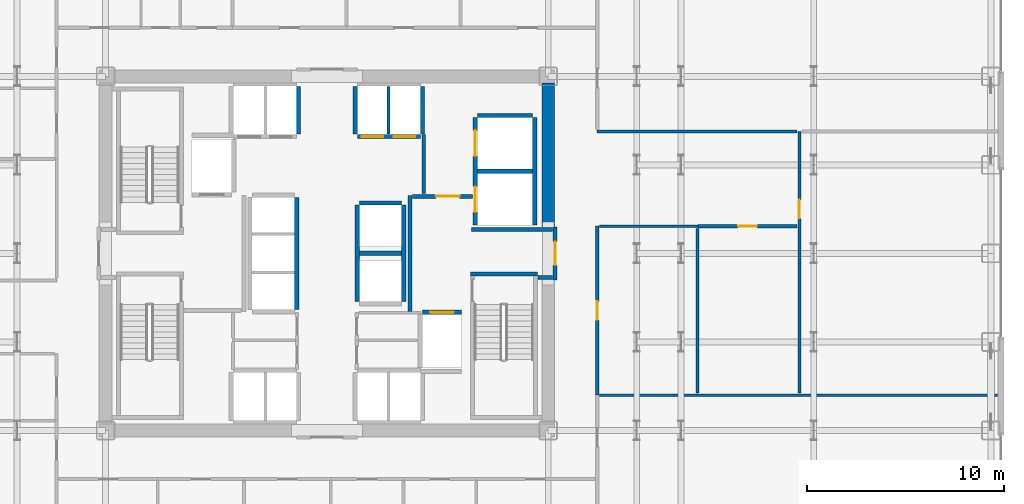
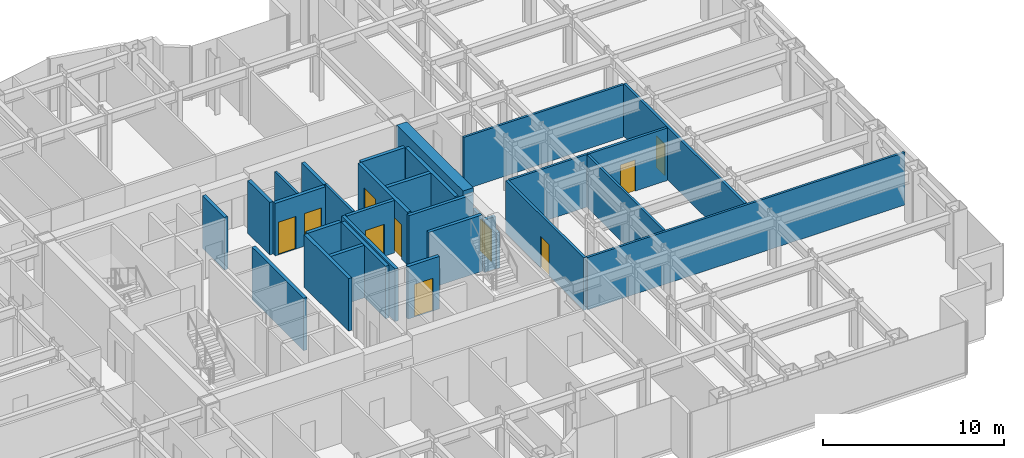
# One storey, part 25 of 29: 30 walls, 10 doors, 10 openings.
"""IFC4 building model written with IfcOpenShell, lengths in metres."""

from ifc_helpers import new_model, si_unit, direction, frame, frame_2d, origin, place, context, subcontext, project, spatial, rectangle, extrude, source, transform, mapped, material, layer, layer_set, type_object, element, fill, save


model = new_model("IFC4")

# Units and contexts
model_context = context("Model", 3, precision=1e-05, world=origin(), true_north=direction((0.0, 1.0)))
body_context = subcontext(model_context, "Body", "Model", "MODEL_VIEW")
ifc_project = project(units=[si_unit("LENGTHUNIT", "METRE"), si_unit("AREAUNIT", "SQUARE_METRE"), si_unit("VOLUMEUNIT", "CUBIC_METRE"), si_unit("PLANEANGLEUNIT", "RADIAN"), si_unit("MASSUNIT", "GRAM", prefix="KILO")], contexts=[model_context])

# Site, building, storey
site_placement = place(None, origin())
site = spatial("IfcSite", under=ifc_project, at=site_placement, CompositionType="ELEMENT")
building_placement = place(site_placement, origin())
building = spatial("IfcBuilding", under=site, at=building_placement, Name="Nefas-Gora Pilgrimage Tower", CompositionType="ELEMENT")
storey_placement = place(building_placement, frame((0.0, 0.0, 44.39990234375)))
storey = spatial("IfcBuildingStorey", under=building, at=storey_placement, Name="L09", CompositionType="ELEMENT", Elevation=44.39990234375)

# Walls
ifc_material_1 = material(Name="Concrete C60/75", Category="concrete")
ifc_layer_1 = layer(ifc_material_1, 0.64990234375)
ifc_layer_set_1 = layer_set([ifc_layer_1], Name="Concrete C60/75")
wall_type_1 = type_object("IfcWallType", Name="SW-CORE-650", PredefinedType="SHEAR", material=ifc_layer_set_1)
shared_shape_1 = source(origin(), body_context, "Body", "SweptSolid", [
    extrude(rectangle(XDim=7.324951171875, YDim=0.64990234375, at=frame_2d((3.66259765625, 0.0))), origin(), (0.0, 0.0, 1.0), 3.800048828125),
])
wall_1_placement = place(storey_placement, frame((11.25, 1.35009765625, 0.0), z_axis=(0.0, 0.0, 1.0), x_axis=(0.0, 1.0, 0.0)))
element("IfcWall", 1, at=wall_1_placement, inside=storey, type_object=wall_type_1, Name="L09 Core Shear Wall E-North", PredefinedType="SHEAR", context=body_context, shape_type="MappedRepresentation", body=[
    mapped(shared_shape_1, transform((0.0, 0.0, 0.0), x_axis=(1.0, 0.0, 0.0), y_axis=(0.0, 1.0, 0.0), z_axis=(0.0, 0.0, 1.0), scale=1.0)),
])
ifc_material_2 = material(Name="Concrete C45/55", Category="concrete")
ifc_layer_2 = layer(ifc_material_2, 0.199951171875)
ifc_layer_set_2 = layer_set([ifc_layer_2], Name="Concrete C45/55")
wall_type_2 = type_object("IfcWallType", Name="IW-STAIR-200", PredefinedType="SOLIDWALL", material=ifc_layer_set_2)
shared_shape_2 = source(origin(), body_context, "Body", "SweptSolid", [
    extrude(rectangle(XDim=3.39990234375, YDim=0.199951171875, at=frame_2d((1.699951171875, 0.0))), origin(), (0.0, 0.0, 1.0), 3.800048828125),
])
wall_2_placement = place(storey_placement, frame((7.300048828125, -1.050048828125, 0.0), z_axis=(0.0, 0.0, 1.0), x_axis=(1.0, 0.0, 0.0)))
element("IfcWall", 2, at=wall_2_placement, inside=storey, type_object=wall_type_2, Name="L09 Stairwell Shear Wall ST-02-near", PredefinedType="SOLIDWALL", context=body_context, shape_type="MappedRepresentation", body=[
    mapped(shared_shape_2, transform((0.0, 0.0, 0.0), x_axis=(1.0, 0.0, 0.0), y_axis=(0.0, 1.0, 0.0), z_axis=(0.0, 0.0, 1.0), scale=1.0)),
])

# Wall, opening, door
ifc_material_3 = material(Name="Concrete C40/50", Category="concrete")
ifc_layer_3 = layer(ifc_material_3, 0.219970703125)
ifc_layer_set_3 = layer_set([ifc_layer_3], Name="Concrete C40/50")
wall_type_3 = type_object("IfcWallType", Name="IW-SHAFT-220", PredefinedType="SOLIDWALL", material=ifc_layer_set_3)
shared_shape_3 = source(origin(), body_context, "Body", "SweptSolid", [
    extrude(rectangle(XDim=2.0, YDim=0.219970703125, at=frame_2d((1.0, 0.0))), origin(), (0.0, 0.0, 1.0), 3.53515625),
])
wall_3_placement = place(storey_placement, frame((6.85009765625, -2.989990234375, 0.0), z_axis=(0.0, 0.0, 1.0), x_axis=(-1.0, 0.0, 0.0)))
wall_3 = element("IfcWall", 3, at=wall_3_placement, inside=storey, type_object=wall_type_3, Name="L09 Hoistway Wall FFL-02-N", PredefinedType="SOLIDWALL", context=body_context, shape_type="MappedRepresentation", body=[
    mapped(shared_shape_3, transform((0.0, 0.0, 0.0), x_axis=(1.0, 0.0, 0.0), y_axis=(0.0, 1.0, 0.0), z_axis=(0.0, 0.0, 1.0), scale=1.0)),
])
opening_1_placement = place(wall_3_placement, frame((0.39990234375, 0.0, 0.0)))
opening_1 = element("IfcOpeningElement", 4, at=opening_1_placement, cuts=wall_3, Name="Opening LD-FF", PredefinedType="OPENING", context=body_context, shape_type="SweptSolid", body=[
    extrude(rectangle(XDim=1.199951171875, YDim=2.199951171875, at=frame_2d((0.60009765625, 1.10009765625))), frame((0.0, 0.119873046875, 0.0), z_axis=(0.0, -1.0, 0.0), x_axis=(1.0, 0.0, 0.0)), (0.0, 0.0, 1.0), 0.239990234375),
])
ifc_material_4 = material(Name="Fire-service sliding lift landing door")
door_type_1 = type_object("IfcDoorType", Name="DR-LIFT-FSAE-1200", OperationType="SLIDING_TO_LEFT", PredefinedType="DOOR", material=ifc_material_4)
shared_shape_4 = source(origin(), body_context, "Body", "SweptSolid", [
    extrude(rectangle(XDim=1.199951171875, YDim=2.199951171875, at=frame_2d((0.60009765625, 1.10009765625))), frame((0.0, 0.02490234375, 0.0), z_axis=(0.0, -1.0, 0.0), x_axis=(1.0, 0.0, 0.0)), (0.0, 0.0, 1.0), 0.050048828125),
])
door_1_placement = place(opening_1_placement, origin())
door_1 = element("IfcDoor", 5, at=door_1_placement, inside=storey, type_object=door_type_1, Name="L09 Sliding Lift Landing Door FFL-02", OperationType="SLIDING_TO_LEFT", OverallHeight=2.199951171875, OverallWidth=1.199951171875, PredefinedType="DOOR", context=body_context, shape_type="MappedRepresentation", body=[
    mapped(shared_shape_4, transform((0.0, 0.0, 0.0), x_axis=(1.0, 0.0, 0.0), y_axis=(0.0, 1.0, 0.0), z_axis=(0.0, 0.0, 1.0), scale=1.0)),
])
fill(opening_1, door_1)

# Wall, openings, doors
shared_shape_5 = source(origin(), body_context, "Body", "SweptSolid", [
    extrude(rectangle(XDim=5.449951171875, YDim=0.219970703125, at=frame_2d((2.72509765625, 0.0))), origin(), (0.0, 0.0, 1.0), 3.53515625),
])
wall_4_placement = place(storey_placement, frame((7.5400390625, 6.89990234375, 0.0), z_axis=(0.0, 0.0, 1.0), x_axis=(0.0, -1.0, 0.0)))
wall_4 = element("IfcWall", 6, at=wall_4_placement, inside=storey, type_object=wall_type_3, Name="L09 Hoistway Wall SL-01-02-W", PredefinedType="SOLIDWALL", context=body_context, shape_type="MappedRepresentation", body=[
    mapped(shared_shape_5, transform((0.0, 0.0, 0.0), x_axis=(1.0, 0.0, 0.0), y_axis=(0.0, 1.0, 0.0), z_axis=(0.0, 0.0, 1.0), scale=1.0)),
])
opening_2_placement = place(wall_4_placement, frame((3.5, 0.0, 0.0)))
opening_2 = element("IfcOpeningElement", 7, at=opening_2_placement, cuts=wall_4, Name="Opening LD-SV", PredefinedType="OPENING", context=body_context, shape_type="SweptSolid", body=[
    extrude(rectangle(XDim=1.300048828125, YDim=2.300048828125, at=frame_2d((0.64990234375, 1.14990234375))), frame((0.0, 0.119873046875, 0.0), z_axis=(0.0, -1.0, 0.0), x_axis=(1.0, 0.0, 0.0)), (0.0, 0.0, 1.0), 0.239990234375),
])
opening_3_placement = place(wall_4_placement, frame((0.64990234375, 0.0, 0.0)))
opening_3 = element("IfcOpeningElement", 8, at=opening_3_placement, cuts=wall_4, Name="Opening LD-SV", PredefinedType="OPENING", context=body_context, shape_type="SweptSolid", body=[
    extrude(rectangle(XDim=1.300048828125, YDim=2.300048828125, at=frame_2d((0.64990234375, 1.14990234375))), frame((0.0, 0.119873046875, 0.0), z_axis=(0.0, -1.0, 0.0), x_axis=(1.0, 0.0, 0.0)), (0.0, 0.0, 1.0), 0.239990234375),
])
ifc_material_5 = material(Name="Heavy goods sliding lift landing door")
door_type_2 = type_object("IfcDoorType", Name="DR-LIFT-SERV-1300", OperationType="SLIDING_TO_RIGHT", PredefinedType="DOOR", material=ifc_material_5)
shared_shape_6 = source(origin(), body_context, "Body", "SweptSolid", [
    extrude(rectangle(XDim=1.300048828125, YDim=2.300048828125, at=frame_2d((0.64990234375, 1.14990234375))), frame((0.0, 0.02490234375, 0.0), z_axis=(0.0, -1.0, 0.0), x_axis=(1.0, 0.0, 0.0)), (0.0, 0.0, 1.0), 0.050048828125),
])
door_2_placement = place(opening_2_placement, origin())
door_2 = element("IfcDoor", 9, at=door_2_placement, inside=storey, type_object=door_type_2, Name="L09 Sliding Lift Landing Door SL-01", OperationType="SLIDING_TO_RIGHT", OverallHeight=2.300048828125, OverallWidth=1.300048828125, PredefinedType="DOOR", context=body_context, shape_type="MappedRepresentation", body=[
    mapped(shared_shape_6, transform((0.0, 0.0, 0.0), x_axis=(1.0, 0.0, 0.0), y_axis=(0.0, 1.0, 0.0), z_axis=(0.0, 0.0, 1.0), scale=1.0)),
])
fill(opening_2, door_2)
door_3_placement = place(opening_3_placement, origin())
door_3 = element("IfcDoor", 10, at=door_3_placement, inside=storey, type_object=door_type_2, Name="L09 Sliding Lift Landing Door SL-02", OperationType="SLIDING_TO_RIGHT", OverallHeight=2.300048828125, OverallWidth=1.300048828125, PredefinedType="DOOR", context=body_context, shape_type="MappedRepresentation", body=[
    mapped(shared_shape_6, transform((0.0, 0.0, 0.0), x_axis=(1.0, 0.0, 0.0), y_axis=(0.0, 1.0, 0.0), z_axis=(0.0, 0.0, 1.0), scale=1.0)),
])
fill(opening_3, door_3)

# Walls
wall_5_placement = place(storey_placement, frame((10.56005859375, 1.449951171875, 0.0), z_axis=(0.0, 0.0, 1.0), x_axis=(0.0, 1.0, 0.0)))
element("IfcWall", 11, at=wall_5_placement, inside=storey, type_object=wall_type_3, Name="L09 Hoistway Wall SL-01-02-E", PredefinedType="SOLIDWALL", context=body_context, shape_type="MappedRepresentation", body=[
    mapped(shared_shape_5, transform((0.0, 0.0, 0.0), x_axis=(1.0, 0.0, 0.0), y_axis=(0.0, 1.0, 0.0), z_axis=(0.0, 0.0, 1.0), scale=1.0)),
])
shared_shape_7 = source(origin(), body_context, "Body", "SweptSolid", [
    extrude(rectangle(XDim=2.780029296875, YDim=0.219970703125, at=frame_2d((1.39013671875, 0.0))), origin(), (0.0, 0.0, 1.0), 3.53515625),
])
for number, where, z_axis, x_axis, name in (
    (12, (7.659912109375, 4.175048828125, 0.0), (0.0, 0.0, 1.0), (1.0, 0.0, 0.0), "L09 Hoistway Wall SL-01-02-DIV"),
    (13, (10.43994140625, 7.010009765625, 0.0), (0.0, 0.0, 1.0), (-1.0, 0.0, 0.0), "L09 Hoistway Wall SL-02-N"),
):
    element("IfcWall", number, at=place(storey_placement, frame(where, z_axis=z_axis, x_axis=x_axis)), inside=storey, type_object=wall_type_3, Name=name, PredefinedType="SOLIDWALL", context=body_context, shape_type="MappedRepresentation", body=[
        mapped(shared_shape_7, transform((0.0, 0.0, 0.0), x_axis=(1.0, 0.0, 0.0), y_axis=(0.0, 1.0, 0.0), z_axis=(0.0, 0.0, 1.0), scale=1.0)),
    ])

# Wall, openings, doors
shared_shape_8 = source(origin(), body_context, "Body", "SweptSolid", [
    extrude(rectangle(XDim=3.199951171875, YDim=0.219970703125, at=frame_2d((1.60009765625, 0.0))), origin(), (0.0, 0.0, 1.0), 3.53515625),
])
wall_6_placement = place(storey_placement, frame((1.550048828125, 5.93994140625, 0.0), z_axis=(0.0, 0.0, 1.0), x_axis=(1.0, 0.0, 0.0)))
wall_6 = element("IfcWall", 14, at=wall_6_placement, inside=storey, type_object=wall_type_3, Name="L09 Hoistway Wall PL1-E-S", PredefinedType="SOLIDWALL", context=body_context, shape_type="MappedRepresentation", body=[
    mapped(shared_shape_8, transform((0.0, 0.0, 0.0), x_axis=(1.0, 0.0, 0.0), y_axis=(0.0, 1.0, 0.0), z_axis=(0.0, 0.0, 1.0), scale=1.0)),
])
opening_4_placement = place(wall_6_placement, frame((0.22509765625, 0.0, 0.0)))
opening_4 = element("IfcOpeningElement", 15, at=opening_4_placement, cuts=wall_6, Name="Opening LD-01", PredefinedType="OPENING", context=body_context, shape_type="SweptSolid", body=[
    extrude(rectangle(XDim=1.10009765625, YDim=2.199951171875, at=frame_2d((0.550048828125, 1.10009765625))), frame((0.0, 0.119873046875, 0.0), z_axis=(0.0, -1.0, 0.0), x_axis=(1.0, 0.0, 0.0)), (0.0, 0.0, 1.0), 0.239990234375),
])
opening_5_placement = place(wall_6_placement, frame((1.85009765625, 0.0, 0.0)))
opening_5 = element("IfcOpeningElement", 16, at=opening_5_placement, cuts=wall_6, Name="Opening LD-01", PredefinedType="OPENING", context=body_context, shape_type="SweptSolid", body=[
    extrude(rectangle(XDim=1.10009765625, YDim=2.199951171875, at=frame_2d((0.550048828125, 1.10009765625))), frame((0.0, 0.119873046875, 0.0), z_axis=(0.0, -1.0, 0.0), x_axis=(1.0, 0.0, 0.0)), (0.0, 0.0, 1.0), 0.239990234375),
])
ifc_material_6 = material(Name="Brushed stainless sliding lift landing door")
door_type_3 = type_object("IfcDoorType", Name="DR-LIFT-PASS-1100", OperationType="DOUBLE_DOOR_SLIDING", PredefinedType="DOOR", material=ifc_material_6)
shared_shape_9 = source(origin(), body_context, "Body", "SweptSolid", [
    extrude(rectangle(XDim=1.10009765625, YDim=2.199951171875, at=frame_2d((0.550048828125, 1.10009765625))), frame((0.0, 0.02490234375, 0.0), z_axis=(0.0, -1.0, 0.0), x_axis=(1.0, 0.0, 0.0)), (0.0, 0.0, 1.0), 0.050048828125),
])
door_4_placement = place(opening_4_placement, origin())
door_4 = element("IfcDoor", 17, at=door_4_placement, inside=storey, type_object=door_type_3, Name="L09 Sliding Lift Landing Door PL1-03", OperationType="DOUBLE_DOOR_SLIDING", OverallHeight=2.199951171875, OverallWidth=1.10009765625, PredefinedType="DOOR", context=body_context, shape_type="MappedRepresentation", body=[
    mapped(shared_shape_9, transform((0.0, 0.0, 0.0), x_axis=(1.0, 0.0, 0.0), y_axis=(0.0, 1.0, 0.0), z_axis=(0.0, 0.0, 1.0), scale=1.0)),
])
fill(opening_4, door_4)
door_5_placement = place(opening_5_placement, origin())
door_5 = element("IfcDoor", 18, at=door_5_placement, inside=storey, type_object=door_type_3, Name="L09 Sliding Lift Landing Door PL1-04", OperationType="DOUBLE_DOOR_SLIDING", OverallHeight=2.199951171875, OverallWidth=1.10009765625, PredefinedType="DOOR", context=body_context, shape_type="MappedRepresentation", body=[
    mapped(shared_shape_9, transform((0.0, 0.0, 0.0), x_axis=(1.0, 0.0, 0.0), y_axis=(0.0, 1.0, 0.0), z_axis=(0.0, 0.0, 1.0), scale=1.0)),
])
fill(opening_5, door_5)

# Walls
shared_shape_10 = source(origin(), body_context, "Body", "SweptSolid", [
    extrude(rectangle(XDim=2.429931640625, YDim=0.219970703125, at=frame_2d((1.21484375, 0.0))), origin(), (0.0, 0.0, 1.0), 3.53515625),
])
for number, where, z_axis, x_axis, name in (
    (19, (-1.43994140625, 6.06005859375, 0.0), (0.0, 0.0, 1.0), (0.0, 1.0, 0.0), "L09 Hoistway Wall PL1-W-E"),
    (20, (1.43994140625, 8.489990234375, 0.0), (0.0, 0.0, 1.0), (0.0, -1.0, 0.0), "L09 Hoistway Wall PL1-E-W"),
    (21, (4.860107421875, 6.06005859375, 0.0), (0.0, 0.0, 1.0), (0.0, 1.0, 0.0), "L09 Hoistway Wall PL1-E-E"),
):
    element("IfcWall", number, at=place(storey_placement, frame(where, z_axis=z_axis, x_axis=x_axis)), inside=storey, type_object=wall_type_3, Name=name, PredefinedType="SOLIDWALL", context=body_context, shape_type="MappedRepresentation", body=[
        mapped(shared_shape_10, transform((0.0, 0.0, 0.0), x_axis=(1.0, 0.0, 0.0), y_axis=(0.0, 1.0, 0.0), z_axis=(0.0, 0.0, 1.0), scale=1.0)),
    ])
ifc_material_7 = material(Name="Gypsum twin-stud partition")
ifc_layer_4 = layer(ifc_material_7, 0.139892578125)
ifc_layer_set_4 = layer_set([ifc_layer_4], Name="Gypsum twin-stud partition")
wall_type_4 = type_object("IfcWallType", Name="IW-UNIT-140", PredefinedType="PARTITIONING", material=ifc_layer_set_4)
shared_shape_11 = source(origin(), body_context, "Body", "SweptSolid", [
    extrude(rectangle(XDim=2.429931640625, YDim=0.139892578125, at=frame_2d((1.21484375, 0.0))), origin(), (0.0, 0.0, 1.0), 3.53515625),
])
wall_7_placement = place(storey_placement, frame((3.125, 6.06005859375, 0.0), z_axis=(0.0, 0.0, 1.0), x_axis=(0.0, 1.0, 0.0)))
element("IfcWall", 22, at=wall_7_placement, inside=storey, type_object=wall_type_4, Name="L09 Hoistway Wall PL1-E-DIV", PredefinedType="PARTITIONING", context=body_context, shape_type="MappedRepresentation", body=[
    mapped(shared_shape_11, transform((0.0, 0.0, 0.0), x_axis=(1.0, 0.0, 0.0), y_axis=(0.0, 1.0, 0.0), z_axis=(0.0, 0.0, 1.0), scale=1.0)),
])
shared_shape_12 = source(origin(), body_context, "Body", "SweptSolid", [
    extrude(rectangle(XDim=5.7001953125, YDim=0.219970703125, at=frame_2d((2.85009765625, 0.0))), origin(), (0.0, 0.0, 1.0), 3.53515625),
])
wall_8_placement = place(storey_placement, frame((-1.5400390625, -2.85009765625, 0.0), z_axis=(0.0, 0.0, 1.0), x_axis=(0.0, 1.0, 0.0)))
element("IfcWall", 23, at=wall_8_placement, inside=storey, type_object=wall_type_3, Name="L09 Hoistway Wall PL3-01-03-E", PredefinedType="SOLIDWALL", context=body_context, shape_type="MappedRepresentation", body=[
    mapped(shared_shape_12, transform((0.0, 0.0, 0.0), x_axis=(1.0, 0.0, 0.0), y_axis=(0.0, 1.0, 0.0), z_axis=(0.0, 0.0, 1.0), scale=1.0)),
])
shared_shape_13 = source(origin(), body_context, "Body", "SweptSolid", [
    extrude(rectangle(XDim=2.130126953125, YDim=0.219970703125, at=frame_2d((1.06494140625, 0.0))), origin(), (0.0, 0.0, 1.0), 3.53515625),
])
for number, where, z_axis, x_axis, name in (
    (24, (1.659912109375, 0.0, 0.0), (0.0, 0.0, 1.0), (1.0, 0.0, 0.0), "L09 Hoistway Wall OBS-01-02-DIV"),
    (25, (3.7900390625, 2.56005859375, 0.0), (0.0, 0.0, 1.0), (-1.0, 0.0, 0.0), "L09 Hoistway Wall OBS-02-N"),
):
    element("IfcWall", number, at=place(storey_placement, frame(where, z_axis=z_axis, x_axis=x_axis)), inside=storey, type_object=wall_type_3, Name=name, PredefinedType="SOLIDWALL", context=body_context, shape_type="MappedRepresentation", body=[
        mapped(shared_shape_13, transform((0.0, 0.0, 0.0), x_axis=(1.0, 0.0, 0.0), y_axis=(0.0, 1.0, 0.0), z_axis=(0.0, 0.0, 1.0), scale=1.0)),
    ])
shared_shape_14 = source(origin(), body_context, "Body", "SweptSolid", [
    extrude(rectangle(XDim=4.89990234375, YDim=0.219970703125, at=frame_2d((2.449951171875, 0.0))), origin(), (0.0, 0.0, 1.0), 3.53515625),
])
for number, where, z_axis, x_axis, name in (
    (26, (1.5400390625, 2.449951171875, 0.0), (0.0, 0.0, 1.0), (0.0, -1.0, 0.0), "L09 Hoistway Wall OBS-01-02-W"),
    (27, (3.909912109375, -2.449951171875, 0.0), (0.0, 0.0, 1.0), (0.0, 1.0, 0.0), "L09 Hoistway Wall OBS-01-02-E"),
):
    element("IfcWall", number, at=place(storey_placement, frame(where, z_axis=z_axis, x_axis=x_axis)), inside=storey, type_object=wall_type_3, Name=name, PredefinedType="SOLIDWALL", context=body_context, shape_type="MappedRepresentation", body=[
        mapped(shared_shape_14, transform((0.0, 0.0, 0.0), x_axis=(1.0, 0.0, 0.0), y_axis=(0.0, 1.0, 0.0), z_axis=(0.0, 0.0, 1.0), scale=1.0)),
    ])

# Wall, opening, door
ifc_material_8 = material(Name="Gypsum fire-rated shaftwall")
ifc_layer_5 = layer(ifc_material_8, 0.199951171875)
ifc_layer_set_5 = layer_set([ifc_layer_5], Name="Gypsum fire-rated shaftwall")
wall_type_5 = type_object("IfcWallType", Name="IW-FFLOB-200", PredefinedType="PARTITIONING", material=ifc_layer_set_5)
shared_shape_15 = source(origin(), body_context, "Body", "SweptSolid", [
    extrude(rectangle(XDim=2.7001953125, YDim=0.199951171875, at=frame_2d((1.35009765625, 0.0))), origin(), (0.0, 0.0, 1.0), 2.425048828125),
])
wall_9_placement = place(storey_placement, frame((11.60009765625, -1.35009765625, 0.0), z_axis=(0.0, 0.0, 1.0), x_axis=(0.0, 1.0, 0.0)))
wall_9 = element("IfcWall", 28, at=wall_9_placement, inside=storey, type_object=wall_type_5, Name="L09 FF Lobby East Portal Wall 8", PredefinedType="PARTITIONING", context=body_context, shape_type="MappedRepresentation", body=[
    mapped(shared_shape_15, transform((0.0, 0.0, 0.0), x_axis=(1.0, 0.0, 0.0), y_axis=(0.0, 1.0, 0.0), z_axis=(0.0, 0.0, 1.0), scale=1.0)),
])
opening_6_placement = place(wall_9_placement, frame((0.75, 0.0, 0.0)))
opening_6 = element("IfcOpeningElement", 29, at=opening_6_placement, cuts=wall_9, Name="Opening ID-FF1", PredefinedType="OPENING", context=body_context, shape_type="SweptSolid", body=[
    extrude(rectangle(XDim=1.199951171875, YDim=2.14990234375, at=frame_2d((0.60009765625, 1.074951171875))), frame((0.0, 0.10986328125, 0.0), z_axis=(0.0, -1.0, 0.0), x_axis=(1.0, 0.0, 0.0)), (0.0, 0.0, 1.0), 0.219970703125),
])
ifc_material_9 = material(Name="Smoke-sealed steel firefighting lobby door", Category="steel")
door_type_4 = type_object("IfcDoorType", Name="DR-INT-FFLOB-1200", OperationType="NOTDEFINED", PredefinedType="DOOR", material=ifc_material_9)
shared_shape_16 = source(origin(), body_context, "Body", "SweptSolid", [
    extrude(rectangle(XDim=1.199951171875, YDim=2.14990234375, at=frame_2d((0.60009765625, 1.074951171875))), frame((0.0, 0.02490234375, 0.0), z_axis=(0.0, -1.0, 0.0), x_axis=(1.0, 0.0, 0.0)), (0.0, 0.0, 1.0), 0.050048828125),
])
door_6_placement = place(opening_6_placement, origin())
door_6 = element("IfcDoor", 30, at=door_6_placement, inside=storey, type_object=door_type_4, Name="L09 FF Lobby East Portal Door 2", OperationType="SINGLE_SWING_LEFT", OverallHeight=2.14990234375, OverallWidth=1.199951171875, PredefinedType="DOOR", context=body_context, shape_type="MappedRepresentation", body=[
    mapped(shared_shape_16, transform((0.0, 0.0, 0.0), x_axis=(1.0, 0.0, 0.0), y_axis=(0.0, 1.0, 0.0), z_axis=(0.0, 0.0, 1.0), scale=1.0)),
])
fill(opening_6, door_6)

# Walls
shared_shape_17 = source(origin(), body_context, "Body", "SweptSolid", [
    extrude(rectangle(XDim=5.89990234375, YDim=0.199951171875, at=frame_2d((2.949951171875, 0.0))), origin(), (0.0, 0.0, 1.0), 3.53515625),
])
wall_10_placement = place(storey_placement, frame((4.219970703125, -2.949951171875, 0.0), z_axis=(0.0, 0.0, 1.0), x_axis=(0.0, 1.0, 0.0)))
element("IfcWall", 31, at=wall_10_placement, inside=storey, type_object=wall_type_5, Name="L09 FF Lobby East Inner Wall Wall 9", PredefinedType="PARTITIONING", context=body_context, shape_type="MappedRepresentation", body=[
    mapped(shared_shape_17, transform((0.0, 0.0, 0.0), x_axis=(1.0, 0.0, 0.0), y_axis=(0.0, 1.0, 0.0), z_axis=(0.0, 0.0, 1.0), scale=1.0)),
])
shared_shape_18 = source(origin(), body_context, "Body", "SweptSolid", [
    extrude(rectangle(XDim=0.719970703125, YDim=0.199951171875, at=frame_2d((0.35986328125, 0.0))), origin(), (0.0, 0.0, 1.0), 3.53515625),
])
wall_11_placement = place(storey_placement, frame((10.739990234375, -1.219970703125, 0.0), z_axis=(0.0, 0.0, 1.0), x_axis=(1.0, 0.0, 0.0)))
element("IfcWall", 32, at=wall_11_placement, inside=storey, type_object=wall_type_5, Name="L09 FF Lobby East Throat S Wall 12", PredefinedType="PARTITIONING", context=body_context, shape_type="MappedRepresentation", body=[
    mapped(shared_shape_18, transform((0.0, 0.0, 0.0), x_axis=(1.0, 0.0, 0.0), y_axis=(0.0, 1.0, 0.0), z_axis=(0.0, 0.0, 1.0), scale=1.0)),
])

# Wall, opening, door
shared_shape_19 = source(origin(), body_context, "Body", "SweptSolid", [
    extrude(rectangle(XDim=3.039794921875, YDim=0.199951171875, at=frame_2d((1.52001953125, 0.0))), origin(), (0.0, 0.0, 1.0), 3.53515625),
])
wall_12_placement = place(storey_placement, frame((4.360107421875, 2.89990234375, 0.0), z_axis=(0.0, 0.0, 1.0), x_axis=(1.0, 0.0, 0.0)))
wall_12 = element("IfcWall", 33, at=wall_12_placement, inside=storey, type_object=wall_type_5, Name="L09 FF Lobby East North Wall Wall 10", PredefinedType="PARTITIONING", context=body_context, shape_type="MappedRepresentation", body=[
    mapped(shared_shape_19, transform((0.0, 0.0, 0.0), x_axis=(1.0, 0.0, 0.0), y_axis=(0.0, 1.0, 0.0), z_axis=(0.0, 0.0, 1.0), scale=1.0)),
])
opening_7_placement = place(wall_12_placement, frame((1.18994140625, 0.0, 0.0)))
opening_7 = element("IfcOpeningElement", 34, at=opening_7_placement, cuts=wall_12, Name="Opening ID-PL1", PredefinedType="OPENING", context=body_context, shape_type="SweptSolid", body=[
    extrude(rectangle(XDim=1.199951171875, YDim=2.14990234375, at=frame_2d((0.60009765625, 1.074951171875))), frame((0.0, 0.10986328125, 0.0), z_axis=(0.0, -1.0, 0.0), x_axis=(1.0, 0.0, 0.0)), (0.0, 0.0, 1.0), 0.219970703125),
])
ifc_material_10 = material(Name="Heavy-duty steel plant room fire door", Category="steel")
door_type_5 = type_object("IfcDoorType", Name="DR-INT-PLANT-1200", OperationType="NOTDEFINED", PredefinedType="DOOR", material=ifc_material_10)
door_7_placement = place(opening_7_placement, origin())
door_7 = element("IfcDoor", 35, at=door_7_placement, inside=storey, type_object=door_type_5, Name="L09 Service Lift Lobby Door Door 3", OperationType="SINGLE_SWING_RIGHT", OverallHeight=2.14990234375, OverallWidth=1.199951171875, PredefinedType="DOOR", context=body_context, shape_type="MappedRepresentation", body=[
    mapped(shared_shape_16, transform((0.0, 0.0, 0.0), x_axis=(1.0, 0.0, 0.0), y_axis=(0.0, 1.0, 0.0), z_axis=(0.0, 0.0, 1.0), scale=1.0)),
])
fill(opening_7, door_7)

# Walls
shared_shape_20 = source(origin(), body_context, "Body", "SweptSolid", [
    extrude(rectangle(XDim=4.10986328125, YDim=0.199951171875, at=frame_2d((2.054931640625, 0.0))), origin(), (0.0, 0.0, 1.0), 3.53515625),
])
wall_13_placement = place(storey_placement, frame((7.35009765625, 1.219970703125, 0.0), z_axis=(0.0, 0.0, 1.0), x_axis=(1.0, 0.0, 0.0)))
element("IfcWall", 36, at=wall_13_placement, inside=storey, type_object=wall_type_5, Name="L09 FF Lobby East Throat N Wall 11", PredefinedType="PARTITIONING", context=body_context, shape_type="MappedRepresentation", body=[
    mapped(shared_shape_20, transform((0.0, 0.0, 0.0), x_axis=(1.0, 0.0, 0.0), y_axis=(0.0, 1.0, 0.0), z_axis=(0.0, 0.0, 1.0), scale=1.0)),
])
ifc_material_11 = material(Name="Gypsum acoustic stud partition")
ifc_layer_6 = layer(ifc_material_11, 0.159912109375)
ifc_layer_set_6 = layer_set([ifc_layer_6], Name="Gypsum acoustic stud partition")
wall_type_6 = type_object("IfcWallType", Name="IW-CORR-160", PredefinedType="PARTITIONING", material=ifc_layer_set_6)
shared_shape_21 = source(origin(), body_context, "Body", "SweptSolid", [
    extrude(rectangle(XDim=3.014892578125, YDim=0.159912109375, at=frame_2d((1.50732421875, 0.0))), origin(), (0.0, 0.0, 1.0), 3.53515625),
])
wall_14_placement = place(storey_placement, frame((4.919921875, 3.0400390625, 0.0), z_axis=(0.0, 0.0, 1.0), x_axis=(0.0, 1.0, 0.0)))
element("IfcWall", 37, at=wall_14_placement, inside=storey, type_object=wall_type_6, Name="L09 Service Lift Lobby West Wall Wall 15", PredefinedType="PARTITIONING", context=body_context, shape_type="MappedRepresentation", body=[
    mapped(shared_shape_21, transform((0.0, 0.0, 0.0), x_axis=(1.0, 0.0, 0.0), y_axis=(0.0, 1.0, 0.0), z_axis=(0.0, 0.0, 1.0), scale=1.0)),
])
shared_shape_22 = source(origin(), body_context, "Body", "SweptSolid", [
    extrude(rectangle(XDim=20.219970703125, YDim=0.139892578125, at=frame_2d((10.10986328125, 0.0))), origin(), (0.0, 0.0, 1.0), 3.53515625),
])
wall_15_placement = place(storey_placement, frame((13.860107421875, -7.205078125, 0.0), z_axis=(0.0, 0.0, 1.0), x_axis=(1.0, 0.0, 0.0)))
element("IfcWall", 38, at=wall_15_placement, inside=storey, type_object=wall_type_4, Name="L09 Pilgrim Contemplative Lounge Partition Wall 40", PredefinedType="PARTITIONING", context=body_context, shape_type="MappedRepresentation", body=[
    mapped(shared_shape_22, transform((0.0, 0.0, 0.0), x_axis=(1.0, 0.0, 0.0), y_axis=(0.0, 1.0, 0.0), z_axis=(0.0, 0.0, 1.0), scale=1.0)),
])

# Wall, opening, door
shared_shape_23 = source(origin(), body_context, "Body", "SweptSolid", [
    extrude(rectangle(XDim=13.300048828125, YDim=0.159912109375, at=frame_2d((6.64990234375, 0.0))), origin(), (0.0, 0.0, 1.0), 3.53515625),
])
wall_16_placement = place(storey_placement, frame((24.02001953125, -7.094970703125, 0.0), z_axis=(0.0, 0.0, 1.0), x_axis=(0.0, 1.0, 0.0)))
wall_16 = element("IfcWall", 39, at=wall_16_placement, inside=storey, type_object=wall_type_6, Name="L09 Pilgrim Contemplative Lounge Partition Wall 41", PredefinedType="PARTITIONING", context=body_context, shape_type="MappedRepresentation", body=[
    mapped(shared_shape_23, transform((0.0, 0.0, 0.0), x_axis=(1.0, 0.0, 0.0), y_axis=(0.0, 1.0, 0.0), z_axis=(0.0, 0.0, 1.0), scale=1.0)),
])
opening_8_placement = place(wall_16_placement, frame((8.8701171875, 0.0, 0.0)))
opening_8 = element("IfcOpeningElement", 40, at=opening_8_placement, cuts=wall_16, Name="Opening ID-GR1", PredefinedType="OPENING", context=body_context, shape_type="SweptSolid", body=[
    extrude(rectangle(XDim=0.949951171875, YDim=2.10009765625, at=frame_2d((0.47509765625, 1.050048828125))), frame((0.0, 0.08984375, 0.0), z_axis=(0.0, -1.0, 0.0), x_axis=(1.0, 0.0, 0.0)), (0.0, 0.0, 1.0), 0.179931640625),
])
ifc_material_12 = material(Name="Solid core oak fire-rated guest entrance door")
door_type_6 = type_object("IfcDoorType", Name="DR-INT-GUEST-950", OperationType="NOTDEFINED", PredefinedType="DOOR", material=ifc_material_12)
shared_shape_24 = source(origin(), body_context, "Body", "SweptSolid", [
    extrude(rectangle(XDim=0.949951171875, YDim=2.10009765625, at=frame_2d((0.47509765625, 1.050048828125))), frame((0.0, 0.02490234375, 0.0), z_axis=(0.0, -1.0, 0.0), x_axis=(1.0, 0.0, 0.0)), (0.0, 0.0, 1.0), 0.050048828125),
])
door_8_placement = place(opening_8_placement, origin())
door_8 = element("IfcDoor", 41, at=door_8_placement, inside=storey, type_object=door_type_6, Name="L09 Pilgrim Contemplative Lounge Door 18", OperationType="SINGLE_SWING_LEFT", OverallHeight=2.10009765625, OverallWidth=0.949951171875, PredefinedType="DOOR", context=body_context, shape_type="MappedRepresentation", body=[
    mapped(shared_shape_24, transform((0.0, 0.0, 0.0), x_axis=(1.0, 0.0, 0.0), y_axis=(0.0, 1.0, 0.0), z_axis=(0.0, 0.0, 1.0), scale=1.0)),
])
fill(opening_8, door_8)

# Wall
shared_shape_25 = source(origin(), body_context, "Body", "SweptSolid", [
    extrude(rectangle(XDim=10.169921875, YDim=0.139892578125, at=frame_2d((5.0849609375, 0.0))), origin(), (0.0, 0.0, 1.0), 3.53515625),
])
wall_17_placement = place(storey_placement, frame((13.72998046875, 6.195068359375, 0.0), z_axis=(0.0, 0.0, 1.0), x_axis=(1.0, 0.0, 0.0)))
element("IfcWall", 42, at=wall_17_placement, inside=storey, type_object=wall_type_4, Name="L09 Pilgrim Contemplative Lounge Partition Wall 42", PredefinedType="PARTITIONING", context=body_context, shape_type="MappedRepresentation", body=[
    mapped(shared_shape_25, transform((0.0, 0.0, 0.0), x_axis=(1.0, 0.0, 0.0), y_axis=(0.0, 1.0, 0.0), z_axis=(0.0, 0.0, 1.0), scale=1.0)),
])

# Wall, opening, door
shared_shape_26 = source(origin(), body_context, "Body", "SweptSolid", [
    extrude(rectangle(XDim=8.594970703125, YDim=0.159912109375, at=frame_2d((4.29736328125, 0.0))), origin(), (0.0, 0.0, 1.0), 3.53515625),
])
wall_18_placement = place(storey_placement, frame((13.739990234375, -7.205078125, 0.0), z_axis=(0.0, 0.0, 1.0), x_axis=(0.0, 1.0, 0.0)))
wall_18 = element("IfcWall", 43, at=wall_18_placement, inside=storey, type_object=wall_type_6, Name="L09 Pilgrim Contemplative Lounge Partition Wall 44", PredefinedType="PARTITIONING", context=body_context, shape_type="MappedRepresentation", body=[
    mapped(shared_shape_26, transform((0.0, 0.0, 0.0), x_axis=(1.0, 0.0, 0.0), y_axis=(0.0, 1.0, 0.0), z_axis=(0.0, 0.0, 1.0), scale=1.0)),
])
opening_9_placement = place(wall_18_placement, frame((3.822509765625, 0.0, 0.0)))
opening_9 = element("IfcOpeningElement", 44, at=opening_9_placement, cuts=wall_18, Name="Opening ID-GR1", PredefinedType="OPENING", context=body_context, shape_type="SweptSolid", body=[
    extrude(rectangle(XDim=0.949951171875, YDim=2.10009765625, at=frame_2d((0.47509765625, 1.050048828125))), frame((0.0, 0.08984375, 0.0), z_axis=(0.0, -1.0, 0.0), x_axis=(1.0, 0.0, 0.0)), (0.0, 0.0, 1.0), 0.179931640625),
])
door_9_placement = place(opening_9_placement, origin())
door_9 = element("IfcDoor", 45, at=door_9_placement, inside=storey, type_object=door_type_6, Name="L09 Pilgrim Contemplative Lounge Door 19", OperationType="SINGLE_SWING_RIGHT", OverallHeight=2.10009765625, OverallWidth=0.949951171875, PredefinedType="DOOR", context=body_context, shape_type="MappedRepresentation", body=[
    mapped(shared_shape_24, transform((0.0, 0.0, 0.0), x_axis=(1.0, 0.0, 0.0), y_axis=(0.0, 1.0, 0.0), z_axis=(0.0, 0.0, 1.0), scale=1.0)),
])
fill(opening_9, door_9)

# Walls
shared_shape_27 = source(origin(), body_context, "Body", "SweptSolid", [
    extrude(rectangle(XDim=4.994873046875, YDim=0.139892578125, at=frame_2d((2.49755859375, 0.0))), origin(), (0.0, 0.0, 1.0), 3.53515625),
])
wall_19_placement = place(storey_placement, frame((13.860107421875, 1.3798828125, 0.0), z_axis=(0.0, 0.0, 1.0), x_axis=(1.0, 0.0, 0.0)))
element("IfcWall", 46, at=wall_19_placement, inside=storey, type_object=wall_type_4, Name="L09 Pilgrim Contemplative Lounge Partition Wall 45", PredefinedType="PARTITIONING", context=body_context, shape_type="MappedRepresentation", body=[
    mapped(shared_shape_27, transform((0.0, 0.0, 0.0), x_axis=(1.0, 0.0, 0.0), y_axis=(0.0, 1.0, 0.0), z_axis=(0.0, 0.0, 1.0), scale=1.0)),
])
shared_shape_28 = source(origin(), body_context, "Body", "SweptSolid", [
    extrude(rectangle(XDim=8.364990234375, YDim=0.139892578125, at=frame_2d((4.1826171875, 0.0))), origin(), (0.0, 0.0, 1.0), 3.53515625),
])
wall_20_placement = place(storey_placement, frame((18.844970703125, -7.094970703125, 0.0), z_axis=(0.0, 0.0, 1.0), x_axis=(0.0, 1.0, 0.0)))
element("IfcWall", 47, at=wall_20_placement, inside=storey, type_object=wall_type_4, Name="L09 Pilgrim Contemplative Lounge Partition Wall 46", PredefinedType="PARTITIONING", context=body_context, shape_type="MappedRepresentation", body=[
    mapped(shared_shape_28, transform((0.0, 0.0, 0.0), x_axis=(1.0, 0.0, 0.0), y_axis=(0.0, 1.0, 0.0), z_axis=(0.0, 0.0, 1.0), scale=1.0)),
])

# Wall, opening, door
shared_shape_29 = source(origin(), body_context, "Body", "SweptSolid", [
    extrude(rectangle(XDim=5.044921875, YDim=0.159912109375, at=frame_2d((2.5224609375, 0.0))), origin(), (0.0, 0.0, 1.0), 3.53515625),
])
wall_21_placement = place(storey_placement, frame((18.85498046875, 1.3798828125, 0.0), z_axis=(0.0, 0.0, 1.0), x_axis=(1.0, 0.0, 0.0)))
wall_21 = element("IfcWall", 48, at=wall_21_placement, inside=storey, type_object=wall_type_6, Name="L09 Pilgrim Contemplative Lounge Partition Wall 47", PredefinedType="PARTITIONING", context=body_context, shape_type="MappedRepresentation", body=[
    mapped(shared_shape_29, transform((0.0, 0.0, 0.0), x_axis=(1.0, 0.0, 0.0), y_axis=(0.0, 1.0, 0.0), z_axis=(0.0, 0.0, 1.0), scale=1.0)),
])
opening_10_placement = place(wall_21_placement, frame((2.047607421875, 0.0, 0.0)))
opening_10 = element("IfcOpeningElement", 49, at=opening_10_placement, cuts=wall_21, Name="Opening ID-GR1", PredefinedType="OPENING", context=body_context, shape_type="SweptSolid", body=[
    extrude(rectangle(XDim=0.949951171875, YDim=2.10009765625, at=frame_2d((0.47509765625, 1.050048828125))), frame((0.0, 0.08984375, 0.0), z_axis=(0.0, -1.0, 0.0), x_axis=(1.0, 0.0, 0.0)), (0.0, 0.0, 1.0), 0.179931640625),
])
door_10_placement = place(opening_10_placement, origin())
door_10 = element("IfcDoor", 50, at=door_10_placement, inside=storey, type_object=door_type_6, Name="L09 Pilgrim Contemplative Lounge Door 20", OperationType="SINGLE_SWING_LEFT", OverallHeight=2.10009765625, OverallWidth=0.949951171875, PredefinedType="DOOR", context=body_context, shape_type="MappedRepresentation", body=[
    mapped(shared_shape_24, transform((0.0, 0.0, 0.0), x_axis=(1.0, 0.0, 0.0), y_axis=(0.0, 1.0, 0.0), z_axis=(0.0, 0.0, 1.0), scale=1.0)),
])
fill(opening_10, door_10)

save(model, "model.ifc")
